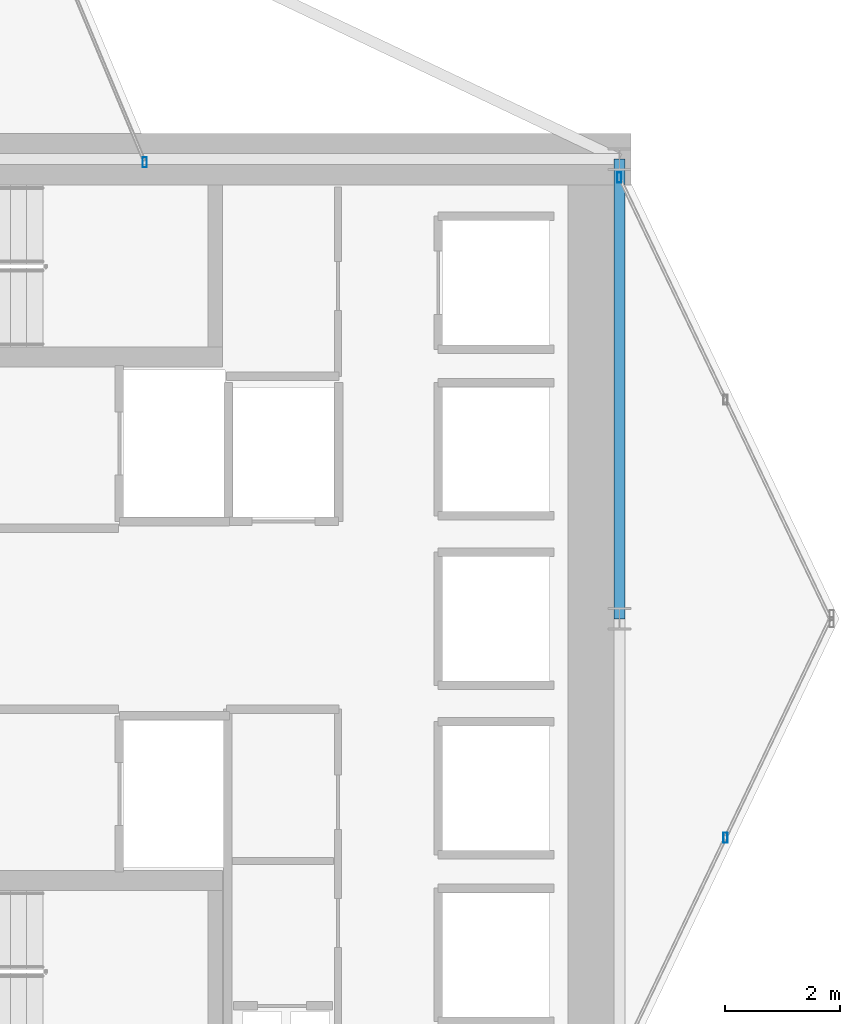
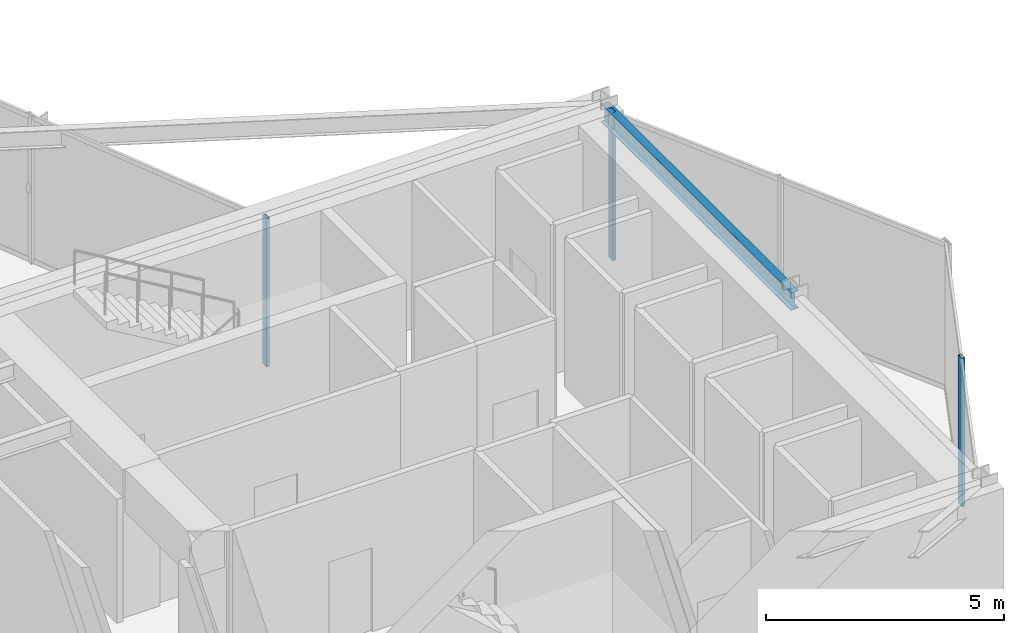
# One storey, part 14 of 25: 3 members, 1 beam, 3 elements without a shape of their own.
"""IFC4 building model written with IfcOpenShell, lengths in metres."""

import ifcopenshell
import ifcopenshell.guid

model = None  # the IFC model being written
_history = None  # IfcOwnerHistory: only IFC2X3 demands one
_inside = {}  # id of a spatial element -> (the spatial element, [elements in it])
_under = {}  # id of a project, library or spatial element -> (it, [spatial elements below it])
_declared = {}  # id of a project -> (the project, [libraries it declares])
_typed = {}  # id of a type object -> (the type object, [elements of that type])
_made_of = {}  # id of a material, layer set ... -> (it, [elements and type objects made of it])


def new_model(schema):
    """Start an empty IFC model of exactly this schema.

    Asked for "IFC4X3", IfcOpenShell would pick the latest addendum, in which some entities
    have other attributes; the version numbers below select the first issue.
    IFC2X3 requires an IfcOwnerHistory on every rooted entity: one is made here for all.
    """
    global model, _history
    if schema == "IFC4X3":
        model = ifcopenshell.file(schema_version=(4, 3, 0, 0))
    else:
        model = ifcopenshell.file(schema=schema)
    _inside.clear()
    _under.clear()
    _declared.clear()
    _typed.clear()
    _made_of.clear()
    _history = None
    if model.schema == "IFC2X3":
        org = make("IfcOrganization", Name="unknown")
        user = make(
            "IfcPersonAndOrganization",
            ThePerson=make("IfcPerson", FamilyName="unknown"),
            TheOrganization=org,
        )
        app = make(
            "IfcApplication",
            ApplicationDeveloper=org,
            Version="unknown",
            ApplicationFullName="unknown",
            ApplicationIdentifier="unknown",
        )
        _history = make(
            "IfcOwnerHistory",
            OwningUser=user,
            OwningApplication=app,
            ChangeAction="ADDED",
            CreationDate=0,
        )
    return model


def make(cls, **values):
    """One entity of the class cls with the attributes given. An attribute that is None is left unset."""
    return model.create_entity(
        cls, **{name: value for name, value in values.items() if value is not None}
    )


def rooted(cls, **values):
    """An entity with a GlobalId (a new one), such as an element, a storey or a relation."""
    return make(cls, GlobalId=ifcopenshell.guid.new(), OwnerHistory=_history, **values)


def si_unit(unit_type, name, prefix=None):
    """IfcSIUnit, for example si_unit("LENGTHUNIT", "METRE", prefix="MILLI")."""
    return make("IfcSIUnit", UnitType=unit_type, Prefix=prefix, Name=name)


def assignment(units):
    """IfcUnitAssignment: the units of a project."""
    return None if units is None else make("IfcUnitAssignment", Units=units)


def point(xyz):
    """IfcCartesianPoint."""
    return None if xyz is None else make("IfcCartesianPoint", Coordinates=xyz)


def direction(xyz):
    """IfcDirection."""
    return None if xyz is None else make("IfcDirection", DirectionRatios=xyz)


def frame(location, z_axis=None, x_axis=None):
    """IfcAxis2Placement3D, a coordinate frame: its origin and axes. An axis left out is left unset."""
    return make(
        "IfcAxis2Placement3D",
        Location=point(location),
        Axis=direction(z_axis),
        RefDirection=direction(x_axis),
    )


def frame_2d(location, x_axis=None):
    """IfcAxis2Placement2D, a coordinate frame in the plane: its origin and x axis."""
    return make(
        "IfcAxis2Placement2D", Location=point(location), RefDirection=direction(x_axis)
    )


def origin():
    """The frame at (0, 0, 0) with its axes left unset."""
    return frame((0.0, 0.0, 0.0))


def origin_2d():
    """The frame at (0, 0) in the plane with its x axis left unset."""
    return frame_2d((0.0, 0.0))


def place(relative_to, where):
    """IfcLocalPlacement: puts the frame where relative to a parent placement (None: the world)."""
    return make(
        "IfcLocalPlacement", PlacementRelTo=relative_to, RelativePlacement=where
    )


def context(
    kind, dimensions, precision=None, world=None, true_north=None, identifier=None
):
    """IfcGeometricRepresentationContext, for example the 3D "Model" context."""
    return make(
        "IfcGeometricRepresentationContext",
        ContextIdentifier=identifier,
        ContextType=kind,
        CoordinateSpaceDimension=dimensions,
        Precision=precision,
        WorldCoordinateSystem=world,
        TrueNorth=true_north,
    )


def subcontext(parent, identifier, kind, view, scale=None):
    """IfcGeometricRepresentationSubContext, for example "Body" below "Model"."""
    return make(
        "IfcGeometricRepresentationSubContext",
        ContextIdentifier=identifier,
        ContextType=kind,
        ParentContext=parent,
        TargetScale=scale,
        TargetView=view,
    )


def project(units=None, contexts=None):
    """IfcProject with its units and contexts."""
    return rooted(
        "IfcProject",
        Name="project",
        RepresentationContexts=contexts,
        UnitsInContext=assignment(units),
    )


def spatial(cls, under=None, at=None, **own):
    """A site, building, storey or space (cls), placed at a placement, below another one or the project."""
    s = rooted(cls, ObjectPlacement=at, **own)
    if under is not None:
        _under.setdefault(under.id(), (under, []))[1].append(s)
    return s


def profile(cls, at=None, kind="AREA", **sizes):
    """A parametric profile (cls). Its sizes go by their IFC names, for example OverallWidth=200.0."""
    return make(cls, ProfileType=kind, Position=at, **sizes)


def hollow_rectangle(**sizes):
    """IfcRectangleHollowProfileDef."""
    return profile("IfcRectangleHollowProfileDef", **sizes)


def i_section(**sizes):
    """IfcIShapeProfileDef."""
    return profile("IfcIShapeProfileDef", **sizes)


def extrude(swept, where, along, depth):
    """IfcExtrudedAreaSolid: the profile swept, set in the frame where, extruded along a direction by depth."""
    return make(
        "IfcExtrudedAreaSolid",
        SweptArea=swept,
        Position=where,
        ExtrudedDirection=direction(along),
        Depth=depth,
    )


def shape(context_of_items, identifier, shape_type, items):
    """IfcShapeRepresentation: the items that make up one representation, for example the "Body"."""
    return make(
        "IfcShapeRepresentation",
        ContextOfItems=context_of_items,
        RepresentationIdentifier=identifier,
        RepresentationType=shape_type,
        Items=items,
    )


def material(Name=None, Category=None):
    """IfcMaterial."""
    return make("IfcMaterial", Name=Name, Category=Category)


def layer(
    of_material, thickness, ventilated=None, Name=None, Category=None, Priority=None
):
    """IfcMaterialLayer: one layer of a wall or slab, of a material (None: an air gap)."""
    return make(
        "IfcMaterialLayer",
        Material=of_material,
        LayerThickness=thickness,
        IsVentilated=ventilated,
        Name=Name,
        Category=Category,
        Priority=Priority,
    )


def layer_set(layers, Name=None):
    """IfcMaterialLayerSet."""
    return make("IfcMaterialLayerSet", MaterialLayers=layers, LayerSetName=Name)


def material_profile(
    of_material, cross_section, Name=None, Category=None, Priority=None
):
    """IfcMaterialProfile: a cross section and its material."""
    return make(
        "IfcMaterialProfile",
        Name=Name,
        Material=of_material,
        Profile=cross_section,
        Priority=Priority,
        Category=Category,
    )


def profile_set(profiles, Name=None, composite=None):
    """IfcMaterialProfileSet."""
    return make(
        "IfcMaterialProfileSet",
        Name=Name,
        MaterialProfiles=profiles,
        CompositeProfile=composite,
    )


def made_of(thing, what):
    """Note that an element or type object is made of a material, layer set ...; save() writes the relation."""
    if what is not None:
        _made_of.setdefault(what.id(), (what, []))[1].append(thing)
    return thing


def type_object(cls, material=None, **own):
    """A type object (cls), such as IfcWallType, which elements share."""
    return made_of(rooted(cls, **own), material)


def element(
    cls,
    number,
    at=None,
    inside=None,
    cuts=None,
    type_object=None,
    material=None,
    context=None,
    identifier="Body",
    shape_type=None,
    held_by="IfcProductDefinitionShape",
    body=None,
    shapes=None,
    **own,
):
    """One element of the class cls, such as IfcWall. Its Tag is "e" and its number.

    at: its placement. inside: the storey or other place that contains it. cuts: it is an
    opening in that element (IfcRelVoidsElement). A single representation is given by context,
    identifier, shape_type and body (its items); several are given by shapes. held_by: the class
    of the entity that holds the representations. save() writes the other relations.
    """
    e = rooted(cls, Tag="e%d" % number, ObjectPlacement=at, **own)
    if body is not None:
        shapes = [shape(context, identifier, shape_type, body)]
    if shapes is not None:
        e.Representation = make(held_by, Representations=shapes)
    if inside is not None:
        _inside.setdefault(inside.id(), (inside, []))[1].append(e)
    if cuts is not None:
        rooted(
            "IfcRelVoidsElement", RelatingBuildingElement=cuts, RelatedOpeningElement=e
        )
    if type_object is not None:
        _typed.setdefault(type_object.id(), (type_object, []))[1].append(e)
    return made_of(e, material)


def aggregate(whole, parts):
    """IfcRelAggregates: a whole, such as a stair, and the parts it consists of."""
    return rooted("IfcRelAggregates", RelatingObject=whole, RelatedObjects=parts)


def save(model, path):
    """Write the relations noted so far, then the file.

    IfcRelAggregates (storeys below a building ...), IfcRelContainedInSpatialStructure (elements
    in a storey), IfcRelDefinesByType, IfcRelAssociatesMaterial and IfcRelDeclares: one each for
    every whole, place, type object, material and project.
    """
    for whole, parts in _under.values():
        aggregate(whole, parts)
    for where, things in _inside.values():
        rooted(
            "IfcRelContainedInSpatialStructure",
            RelatedElements=things,
            RelatingStructure=where,
        )
    for kind, things in _typed.values():
        rooted("IfcRelDefinesByType", RelatedObjects=things, RelatingType=kind)
    for what, things in _made_of.values():
        rooted("IfcRelAssociatesMaterial", RelatedObjects=things, RelatingMaterial=what)
    for by, libraries in _declared.values():
        rooted("IfcRelDeclares", RelatingContext=by, RelatedDefinitions=libraries)
    model.write(path)


model = new_model("IFC4")

# Units and contexts
model_context = context("Model", 3, precision=1e-05, world=origin(), true_north=direction((0.0, 1.0)))
body_context = subcontext(model_context, "Body", "Model", "MODEL_VIEW")
ifc_project = project(units=[si_unit("LENGTHUNIT", "METRE"), si_unit("AREAUNIT", "SQUARE_METRE"), si_unit("VOLUMEUNIT", "CUBIC_METRE"), si_unit("PLANEANGLEUNIT", "RADIAN"), si_unit("MASSUNIT", "GRAM", prefix="KILO")], contexts=[model_context])

# Site, building, storey
site_placement = place(None, origin())
site = spatial("IfcSite", under=ifc_project, at=site_placement, CompositionType="ELEMENT")
building_placement = place(site_placement, origin())
building = spatial("IfcBuilding", under=site, at=building_placement, Name="Veymaron Broadcast Tower", CompositionType="ELEMENT")
storey_placement = place(building_placement, frame((0.0, 0.0, 74.25)))
storey = spatial("IfcBuildingStorey", under=building, at=storey_placement, Name="L16", CompositionType="ELEMENT", Elevation=74.25)

# Beam
ifc_material_1 = material(Name="Structural steel ASTM A992 Gr 50", Category="steel")
ifc_material_profile_1 = material_profile(ifc_material_1, i_section(OverallWidth=0.19091796875, OverallDepth=0.4599609375, WebThickness=0.010009765625, FlangeThickness=0.01611328125, at=origin_2d()), Name="W460X82")
ifc_profile_set_1 = profile_set([ifc_material_profile_1], Name="Structural steel ASTM A992 Gr 50")
beam_type = type_object("IfcBeamType", Name="BM-SP1", PredefinedType="SPANDREL", material=ifc_profile_set_1)
beam_placement = place(storey_placement, frame((54.60009765625, 24.0, 3.580078125), z_axis=(0.0, 1.0, 0.0), x_axis=(-1.0, 0.0, 0.0)))
element("IfcBeam", 1, at=beam_placement, inside=storey, type_object=beam_type, Name="L16 primary structural floor girder", PredefinedType="SPANDREL", context=body_context, shape_type="SweptSolid", body=[
    extrude(i_section(OverallWidth=0.19091796875, OverallDepth=0.4599609375, WebThickness=0.010009765625, FlangeThickness=0.01611328125, at=origin_2d()), origin(), (0.0, 0.0, 1.0), 8.0),
])

# Curtain wall, member
ifc_material_2 = material(Name="Anodised aluminium AA 6063-T6 and laminated low-E dark glass", Category="aluminium")
ifc_layer = layer(ifc_material_2, 0.179931640625)
ifc_layer_set = layer_set([ifc_layer], Name="Anodised aluminium AA 6063-T6 and laminated low-E dark glass")
curtain_wall_type = type_object("IfcCurtainWallType", Name="CW-SYS-02", PredefinedType="NOTDEFINED", material=ifc_layer_set)
curtain_wall_1_placement = place(storey_placement, origin())
curtain_wall_1 = element("IfcCurtainWall", 2, at=curtain_wall_1_placement, inside=storey, type_object=curtain_wall_type, Name="L16 dark-glass curtain wall CW-L16-E2-1", PredefinedType="NOTDEFINED")
ifc_material_3 = material(Name="Anodised aluminium AA 6063-T6", Category="aluminium")
ifc_material_profile_2 = material_profile(ifc_material_3, hollow_rectangle(XDim=0.074951171875, YDim=0.179931640625, WallThickness=0.0048828125, at=origin_2d()), Name="AL180X75X5")
ifc_profile_set_2 = profile_set([ifc_material_profile_2], Name="Anodised aluminium AA 6063-T6")
member_type = type_object("IfcMemberType", Name="CW-MUL-02", PredefinedType="MULLION", material=ifc_profile_set_2)
member_1_placement = place(storey_placement, frame((56.446044921875, 20.188720703125, 0.0), z_axis=(0.0, 0.0, 1.0), x_axis=(1.0, 0.0, 0.0)))
member_1 = element("IfcMember", 3, at=member_1_placement, type_object=member_type, Name="CW-L16-E2-1 mullion 1", PredefinedType="MULLION", context=body_context, shape_type="SweptSolid", body=[
    extrude(hollow_rectangle(XDim=0.074951171875, YDim=0.179931640625, WallThickness=0.0048828125, at=origin_2d()), origin(), (0.0, 0.0, 1.0), 3.81005859375),
])
aggregate(curtain_wall_1, [member_1])

curtain_wall_2_placement = place(storey_placement, origin())
curtain_wall_2 = element("IfcCurtainWall", 4, at=curtain_wall_2_placement, inside=storey, type_object=curtain_wall_type, Name="L16 dark-glass curtain wall CW-L16-E3-1", PredefinedType="NOTDEFINED")
member_2_placement = place(storey_placement, frame((54.59619140625, 31.68310546875, 0.0), z_axis=(0.0, 0.0, 1.0), x_axis=(1.0, 0.0, 0.0)))
member_2 = element("IfcMember", 5, at=member_2_placement, type_object=member_type, Name="CW-L16-E3-1 mullion 2", PredefinedType="MULLION", context=body_context, shape_type="SweptSolid", body=[
    extrude(hollow_rectangle(XDim=0.074951171875, YDim=0.179931640625, WallThickness=0.0048828125, at=origin_2d()), origin(), (0.0, 0.0, 1.0), 3.81005859375),
])
aggregate(curtain_wall_2, [member_2])

curtain_wall_3_placement = place(storey_placement, origin())
curtain_wall_3 = element("IfcCurtainWall", 6, at=curtain_wall_3_placement, inside=storey, type_object=curtain_wall_type, Name="L16 dark-glass curtain wall CW-L16-E5-1", PredefinedType="NOTDEFINED")
member_3_placement = place(storey_placement, frame((46.336669921875, 31.946044921875, 0.0), z_axis=(0.0, 0.0, 1.0), x_axis=(1.0, 0.0, 0.0)))
member_3 = element("IfcMember", 7, at=member_3_placement, type_object=member_type, Name="CW-L16-E5-1 mullion 0", PredefinedType="MULLION", context=body_context, shape_type="SweptSolid", body=[
    extrude(hollow_rectangle(XDim=0.074951171875, YDim=0.179931640625, WallThickness=0.0048828125, at=origin_2d()), origin(), (0.0, 0.0, 1.0), 3.81005859375),
])
aggregate(curtain_wall_3, [member_3])

save(model, "model.ifc")
